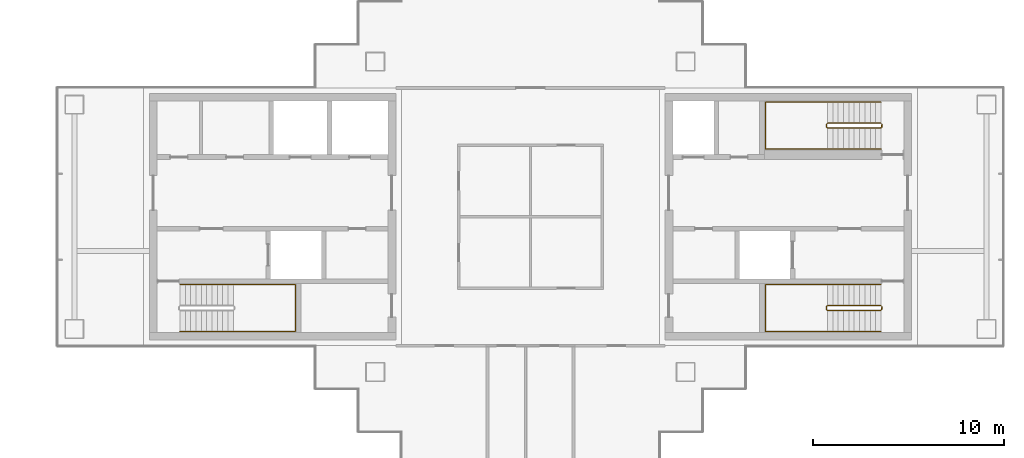
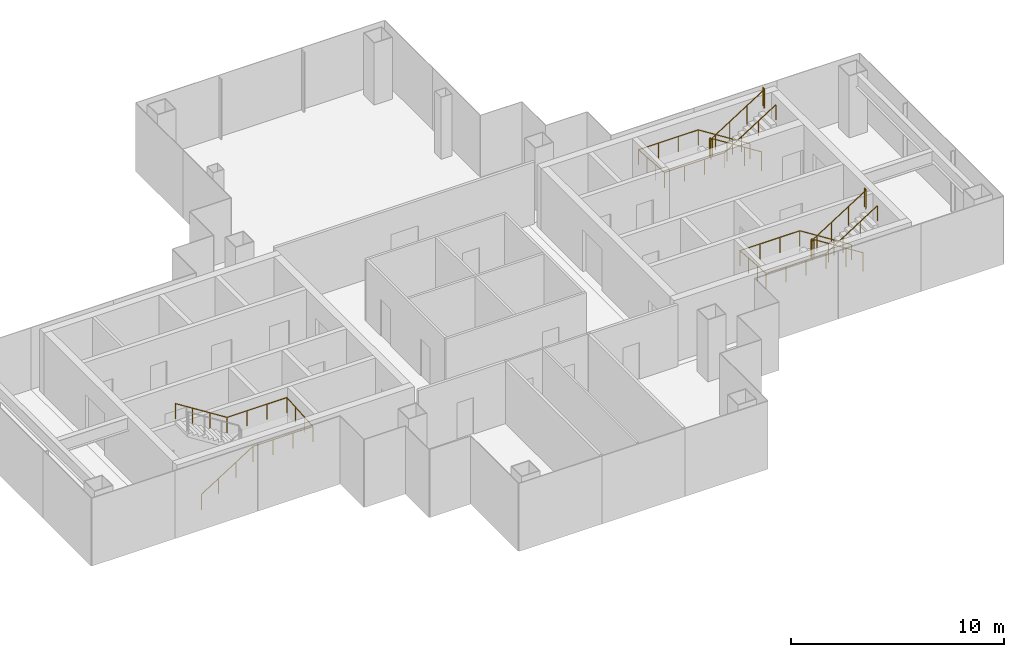
# One storey, part 14 of 15: 5 railings.
"""IFC4 building model written with IfcOpenShell, lengths in metres."""

import ifcopenshell
import ifcopenshell.guid

model = None  # the IFC model being written
_history = None  # IfcOwnerHistory: only IFC2X3 demands one
_inside = {}  # id of a spatial element -> (the spatial element, [elements in it])
_under = {}  # id of a project, library or spatial element -> (it, [spatial elements below it])
_declared = {}  # id of a project -> (the project, [libraries it declares])
_typed = {}  # id of a type object -> (the type object, [elements of that type])
_made_of = {}  # id of a material, layer set ... -> (it, [elements and type objects made of it])


def new_model(schema):
    """Start an empty IFC model of exactly this schema.

    Asked for "IFC4X3", IfcOpenShell would pick the latest addendum, in which some entities
    have other attributes; the version numbers below select the first issue.
    IFC2X3 requires an IfcOwnerHistory on every rooted entity: one is made here for all.
    """
    global model, _history
    if schema == "IFC4X3":
        model = ifcopenshell.file(schema_version=(4, 3, 0, 0))
    else:
        model = ifcopenshell.file(schema=schema)
    _inside.clear()
    _under.clear()
    _declared.clear()
    _typed.clear()
    _made_of.clear()
    _history = None
    if model.schema == "IFC2X3":
        org = make("IfcOrganization", Name="unknown")
        user = make(
            "IfcPersonAndOrganization",
            ThePerson=make("IfcPerson", FamilyName="unknown"),
            TheOrganization=org,
        )
        app = make(
            "IfcApplication",
            ApplicationDeveloper=org,
            Version="unknown",
            ApplicationFullName="unknown",
            ApplicationIdentifier="unknown",
        )
        _history = make(
            "IfcOwnerHistory",
            OwningUser=user,
            OwningApplication=app,
            ChangeAction="ADDED",
            CreationDate=0,
        )
    return model


def make(cls, **values):
    """One entity of the class cls with the attributes given. An attribute that is None is left unset."""
    return model.create_entity(
        cls, **{name: value for name, value in values.items() if value is not None}
    )


def rooted(cls, **values):
    """An entity with a GlobalId (a new one), such as an element, a storey or a relation."""
    return make(cls, GlobalId=ifcopenshell.guid.new(), OwnerHistory=_history, **values)


def si_unit(unit_type, name, prefix=None):
    """IfcSIUnit, for example si_unit("LENGTHUNIT", "METRE", prefix="MILLI")."""
    return make("IfcSIUnit", UnitType=unit_type, Prefix=prefix, Name=name)


def assignment(units):
    """IfcUnitAssignment: the units of a project."""
    return None if units is None else make("IfcUnitAssignment", Units=units)


def point(xyz):
    """IfcCartesianPoint."""
    return None if xyz is None else make("IfcCartesianPoint", Coordinates=xyz)


def direction(xyz):
    """IfcDirection."""
    return None if xyz is None else make("IfcDirection", DirectionRatios=xyz)


def frame(location, z_axis=None, x_axis=None):
    """IfcAxis2Placement3D, a coordinate frame: its origin and axes. An axis left out is left unset."""
    return make(
        "IfcAxis2Placement3D",
        Location=point(location),
        Axis=direction(z_axis),
        RefDirection=direction(x_axis),
    )


def frame_2d(location, x_axis=None):
    """IfcAxis2Placement2D, a coordinate frame in the plane: its origin and x axis."""
    return make(
        "IfcAxis2Placement2D", Location=point(location), RefDirection=direction(x_axis)
    )


def origin():
    """The frame at (0, 0, 0) with its axes left unset."""
    return frame((0.0, 0.0, 0.0))


def origin_2d():
    """The frame at (0, 0) in the plane with its x axis left unset."""
    return frame_2d((0.0, 0.0))


def place(relative_to, where):
    """IfcLocalPlacement: puts the frame where relative to a parent placement (None: the world)."""
    return make(
        "IfcLocalPlacement", PlacementRelTo=relative_to, RelativePlacement=where
    )


def context(
    kind, dimensions, precision=None, world=None, true_north=None, identifier=None
):
    """IfcGeometricRepresentationContext, for example the 3D "Model" context."""
    return make(
        "IfcGeometricRepresentationContext",
        ContextIdentifier=identifier,
        ContextType=kind,
        CoordinateSpaceDimension=dimensions,
        Precision=precision,
        WorldCoordinateSystem=world,
        TrueNorth=true_north,
    )


def subcontext(parent, identifier, kind, view, scale=None):
    """IfcGeometricRepresentationSubContext, for example "Body" below "Model"."""
    return make(
        "IfcGeometricRepresentationSubContext",
        ContextIdentifier=identifier,
        ContextType=kind,
        ParentContext=parent,
        TargetScale=scale,
        TargetView=view,
    )


def project(units=None, contexts=None):
    """IfcProject with its units and contexts."""
    return rooted(
        "IfcProject",
        Name="project",
        RepresentationContexts=contexts,
        UnitsInContext=assignment(units),
    )


def spatial(cls, under=None, at=None, **own):
    """A site, building, storey or space (cls), placed at a placement, below another one or the project."""
    s = rooted(cls, ObjectPlacement=at, **own)
    if under is not None:
        _under.setdefault(under.id(), (under, []))[1].append(s)
    return s


def profile(cls, at=None, kind="AREA", **sizes):
    """A parametric profile (cls). Its sizes go by their IFC names, for example OverallWidth=200.0."""
    return make(cls, ProfileType=kind, Position=at, **sizes)


def circle(**sizes):
    """IfcCircleProfileDef."""
    return profile("IfcCircleProfileDef", **sizes)


def extrude(swept, where, along, depth):
    """IfcExtrudedAreaSolid: the profile swept, set in the frame where, extruded along a direction by depth."""
    return make(
        "IfcExtrudedAreaSolid",
        SweptArea=swept,
        Position=where,
        ExtrudedDirection=direction(along),
        Depth=depth,
    )


def shape(context_of_items, identifier, shape_type, items):
    """IfcShapeRepresentation: the items that make up one representation, for example the "Body"."""
    return make(
        "IfcShapeRepresentation",
        ContextOfItems=context_of_items,
        RepresentationIdentifier=identifier,
        RepresentationType=shape_type,
        Items=items,
    )


def material(Name=None, Category=None):
    """IfcMaterial."""
    return make("IfcMaterial", Name=Name, Category=Category)


def made_of(thing, what):
    """Note that an element or type object is made of a material, layer set ...; save() writes the relation."""
    if what is not None:
        _made_of.setdefault(what.id(), (what, []))[1].append(thing)
    return thing


def type_object(cls, material=None, **own):
    """A type object (cls), such as IfcWallType, which elements share."""
    return made_of(rooted(cls, **own), material)


def element(
    cls,
    number,
    at=None,
    inside=None,
    cuts=None,
    type_object=None,
    material=None,
    context=None,
    identifier="Body",
    shape_type=None,
    held_by="IfcProductDefinitionShape",
    body=None,
    shapes=None,
    **own,
):
    """One element of the class cls, such as IfcWall. Its Tag is "e" and its number.

    at: its placement. inside: the storey or other place that contains it. cuts: it is an
    opening in that element (IfcRelVoidsElement). A single representation is given by context,
    identifier, shape_type and body (its items); several are given by shapes. held_by: the class
    of the entity that holds the representations. save() writes the other relations.
    """
    e = rooted(cls, Tag="e%d" % number, ObjectPlacement=at, **own)
    if body is not None:
        shapes = [shape(context, identifier, shape_type, body)]
    if shapes is not None:
        e.Representation = make(held_by, Representations=shapes)
    if inside is not None:
        _inside.setdefault(inside.id(), (inside, []))[1].append(e)
    if cuts is not None:
        rooted(
            "IfcRelVoidsElement", RelatingBuildingElement=cuts, RelatedOpeningElement=e
        )
    if type_object is not None:
        _typed.setdefault(type_object.id(), (type_object, []))[1].append(e)
    return made_of(e, material)


def aggregate(whole, parts):
    """IfcRelAggregates: a whole, such as a stair, and the parts it consists of."""
    return rooted("IfcRelAggregates", RelatingObject=whole, RelatedObjects=parts)


def save(model, path):
    """Write the relations noted so far, then the file.

    IfcRelAggregates (storeys below a building ...), IfcRelContainedInSpatialStructure (elements
    in a storey), IfcRelDefinesByType, IfcRelAssociatesMaterial and IfcRelDeclares: one each for
    every whole, place, type object, material and project.
    """
    for whole, parts in _under.values():
        aggregate(whole, parts)
    for where, things in _inside.values():
        rooted(
            "IfcRelContainedInSpatialStructure",
            RelatedElements=things,
            RelatingStructure=where,
        )
    for kind, things in _typed.values():
        rooted("IfcRelDefinesByType", RelatedObjects=things, RelatingType=kind)
    for what, things in _made_of.values():
        rooted("IfcRelAssociatesMaterial", RelatedObjects=things, RelatingMaterial=what)
    for by, libraries in _declared.values():
        rooted("IfcRelDeclares", RelatingContext=by, RelatedDefinitions=libraries)
    model.write(path)


model = new_model("IFC4")

# Units and contexts
model_context = context("Model", 3, precision=1e-05, world=origin(), true_north=direction((0.0, 1.0)))
body_context = subcontext(model_context, "Body", "Model", "MODEL_VIEW")
ifc_project = project(units=[si_unit("LENGTHUNIT", "METRE"), si_unit("AREAUNIT", "SQUARE_METRE"), si_unit("VOLUMEUNIT", "CUBIC_METRE"), si_unit("PLANEANGLEUNIT", "RADIAN"), si_unit("MASSUNIT", "GRAM", prefix="KILO")], contexts=[model_context])

# Site, building, storey
site_placement = place(None, origin())
site = spatial("IfcSite", under=ifc_project, at=site_placement, CompositionType="ELEMENT")
building_placement = place(site_placement, origin())
building = spatial("IfcBuilding", under=site, at=building_placement, Name="Shamsa Quay Exchange Towers", CompositionType="ELEMENT")
storey_placement = place(building_placement, frame((0.0, 0.0, 206.10009765625)))
storey = spatial("IfcBuildingStorey", under=building, at=storey_placement, Name="L49", CompositionType="ELEMENT", Elevation=206.10009765625)

# Railings
ifc_material = material(Name="Stainless steel", Category="steel")
railing_type_1 = type_object("IfcRailingType", Name="STAIR GUARD 1100", PredefinedType="GUARDRAIL", material=ifc_material)
railing_1_placement = place(storey_placement, frame((52.10009765625, -4.64990234375, 0.17724609375)))
element("IfcRailing", 1, at=railing_1_placement, inside=storey, type_object=railing_type_1, Name="L49 ST5 stair guard 1", PredefinedType="GUARDRAIL", context=body_context, shape_type="SweptSolid", body=[
    extrude(circle(Radius=0.02392578125, at=origin_2d()), frame((0.0, 0.0, 1.076171875), z_axis=(-0.844908973607, 0.0, 0.534910110503), x_axis=(0.0, -1.0, 0.0)), (0.0, 0.0, 1.0), 3.31396484375),
    extrude(circle(Radius=0.02392578125, at=origin_2d()), frame((-2.800048828125, 0.0, 2.8486328125), z_axis=(-0.707106781187, -0.707106781187, 0.0), x_axis=(0.707106781187, -0.707106781187, 0.0)), (0.0, 0.0, 1.0), 0.07080078125),
    extrude(circle(Radius=0.02392578125, at=origin_2d()), frame((-2.85009765625, -0.050048828125, 2.8486328125), z_axis=(0.0, -1.0, 0.0), x_axis=(1.0, 0.0, 0.0)), (0.0, 0.0, 1.0), 0.150146484375),
    extrude(circle(Radius=0.02392578125, at=origin_2d()), frame((-2.85009765625, -0.2001953125, 2.8486328125), z_axis=(0.262321481514, -0.261041864531, 0.929001929653), x_axis=(0.705375805398, 0.708833529934, 0.0)), (0.0, 0.0, 1.0), 0.190673828125),
    extrude(circle(Radius=0.02392578125, at=origin_2d()), frame((-2.800048828125, -0.25, 3.02587890625), z_axis=(0.844908973607, 0.0, 0.534910110503), x_axis=(0.0, 1.0, 0.0)), (0.0, 0.0, 1.0), 3.31396484375),
    extrude(circle(Radius=0.02392578125, at=origin_2d()), frame((0.0, -0.25, 4.798828125), z_axis=(0.241699205484, 0.970351222016, 0.0), x_axis=(-0.970351222016, 0.241699205484, 0.0)), (0.0, 0.0, 1.0), 0.2060546875),
    extrude(circle(Radius=0.02392578125, at=origin_2d()), frame((0.0498046875, -0.050048828125, 4.798828125), z_axis=(0.0, -1.0, 0.0), x_axis=(1.0, 0.0, 0.0)), (0.0, 0.0, 1.0), 0.150146484375),
    extrude(circle(Radius=0.02099609375, at=origin_2d()), origin(), (0.0, 0.0, 1.0), 1.052001953125),
    extrude(circle(Radius=0.02099609375, at=origin_2d()), frame((-0.933349609375, 0.0, 0.5908203125)), (0.0, 0.0, 1.0), 1.052001953125),
    extrude(circle(Radius=0.02099609375, at=origin_2d()), frame((-1.86669921875, 0.0, 1.181884765625)), (0.0, 0.0, 1.0), 1.052001953125),
    extrude(circle(Radius=0.02099609375, at=origin_2d()), frame((-2.800048828125, 0.0, 1.772705078125)), (0.0, 0.0, 1.0), 1.052001953125),
    extrude(circle(Radius=0.02099609375, at=origin_2d()), frame((-2.85009765625, -0.050048828125, 1.772705078125)), (0.0, 0.0, 1.0), 1.052001953125),
    extrude(circle(Radius=0.02099609375, at=origin_2d()), frame((-2.85009765625, -0.2001953125, 1.772705078125)), (0.0, 0.0, 1.0), 1.052001953125),
    extrude(circle(Radius=0.02099609375, at=origin_2d()), frame((-2.800048828125, -0.25, 1.949951171875)), (0.0, 0.0, 1.0), 1.052001953125),
    extrude(circle(Radius=0.02099609375, at=origin_2d()), frame((-1.86669921875, -0.25, 2.540771484375)), (0.0, 0.0, 1.0), 1.052001953125),
    extrude(circle(Radius=0.02099609375, at=origin_2d()), frame((-0.933349609375, -0.25, 3.1318359375)), (0.0, 0.0, 1.0), 1.052001953125),
    extrude(circle(Radius=0.02099609375, at=origin_2d()), frame((0.0, -0.25, 3.72265625)), (0.0, 0.0, 1.0), 1.052001953125),
    extrude(circle(Radius=0.02099609375, at=origin_2d()), frame((0.0498046875, -0.050048828125, 3.72265625)), (0.0, 0.0, 1.0), 1.052001953125),
    extrude(circle(Radius=0.02099609375, at=origin_2d()), frame((0.0498046875, -0.2001953125, 3.72265625)), (0.0, 0.0, 1.0), 1.052001953125),
])
railing_2_placement = place(storey_placement, frame((52.10009765625, 4.89990234375, 0.17724609375)))
element("IfcRailing", 2, at=railing_2_placement, inside=storey, type_object=railing_type_1, Name="L49 ST6 stair guard 1", PredefinedType="GUARDRAIL", context=body_context, shape_type="SweptSolid", body=[
    extrude(circle(Radius=0.02392578125, at=origin_2d()), frame((0.0, 0.0, 1.076171875), z_axis=(-0.844908973607, 0.0, 0.534910110503), x_axis=(0.0, -1.0, 0.0)), (0.0, 0.0, 1.0), 3.31396484375),
    extrude(circle(Radius=0.02392578125, at=origin_2d()), frame((-2.800048828125, 0.0, 2.8486328125), z_axis=(-0.708833529934, -0.705375805398, 0.0), x_axis=(0.705375805398, -0.708833529934, 0.0)), (0.0, 0.0, 1.0), 0.070556640625),
    extrude(circle(Radius=0.02392578125, at=origin_2d()), frame((-2.85009765625, -0.0498046875, 2.8486328125), z_axis=(0.0, -1.0, 0.0), x_axis=(1.0, 0.0, 0.0)), (0.0, 0.0, 1.0), 0.150146484375),
    extrude(circle(Radius=0.02392578125, at=origin_2d()), frame((-2.85009765625, -0.199951171875, 2.8486328125), z_axis=(0.262233686654, -0.262233686654, 0.928691007369), x_axis=(0.707106781187, 0.707106781187, 0.0)), (0.0, 0.0, 1.0), 0.19091796875),
    extrude(circle(Radius=0.02392578125, at=origin_2d()), frame((-2.800048828125, -0.25, 3.02587890625), z_axis=(0.844908973607, 0.0, 0.534910110503), x_axis=(0.0, 1.0, 0.0)), (0.0, 0.0, 1.0), 3.31396484375),
    extrude(circle(Radius=0.02392578125, at=origin_2d()), frame((0.0, -0.25, 4.798828125), z_axis=(0.24142163986, 0.970420317083, 0.0), x_axis=(-0.970420317083, 0.24142163986, 0.0)), (0.0, 0.0, 1.0), 0.206298828125),
    extrude(circle(Radius=0.02392578125, at=origin_2d()), frame((0.0498046875, -0.0498046875, 4.798828125), z_axis=(0.0, -1.0, 0.0), x_axis=(1.0, 0.0, 0.0)), (0.0, 0.0, 1.0), 0.150146484375),
    extrude(circle(Radius=0.02099609375, at=origin_2d()), origin(), (0.0, 0.0, 1.0), 1.052001953125),
    extrude(circle(Radius=0.02099609375, at=origin_2d()), frame((-0.933349609375, 0.0, 0.5908203125)), (0.0, 0.0, 1.0), 1.052001953125),
    extrude(circle(Radius=0.02099609375, at=origin_2d()), frame((-1.86669921875, 0.0, 1.181884765625)), (0.0, 0.0, 1.0), 1.052001953125),
    extrude(circle(Radius=0.02099609375, at=origin_2d()), frame((-2.800048828125, 0.0, 1.772705078125)), (0.0, 0.0, 1.0), 1.052001953125),
    extrude(circle(Radius=0.02099609375, at=origin_2d()), frame((-2.85009765625, -0.0498046875, 1.772705078125)), (0.0, 0.0, 1.0), 1.052001953125),
    extrude(circle(Radius=0.02099609375, at=origin_2d()), frame((-2.85009765625, -0.199951171875, 1.772705078125)), (0.0, 0.0, 1.0), 1.052001953125),
    extrude(circle(Radius=0.02099609375, at=origin_2d()), frame((-2.800048828125, -0.25, 1.949951171875)), (0.0, 0.0, 1.0), 1.052001953125),
    extrude(circle(Radius=0.02099609375, at=origin_2d()), frame((-1.86669921875, -0.25, 2.540771484375)), (0.0, 0.0, 1.0), 1.052001953125),
    extrude(circle(Radius=0.02099609375, at=origin_2d()), frame((-0.933349609375, -0.25, 3.1318359375)), (0.0, 0.0, 1.0), 1.052001953125),
    extrude(circle(Radius=0.02099609375, at=origin_2d()), frame((0.0, -0.25, 3.72265625)), (0.0, 0.0, 1.0), 1.052001953125),
    extrude(circle(Radius=0.02099609375, at=origin_2d()), frame((0.0498046875, -0.0498046875, 3.72265625)), (0.0, 0.0, 1.0), 1.052001953125),
    extrude(circle(Radius=0.02099609375, at=origin_2d()), frame((0.0498046875, -0.199951171875, 3.72265625)), (0.0, 0.0, 1.0), 1.052001953125),
])
railing_type_2 = type_object("IfcRailingType", Name="STAIR HANDRAIL 900", PredefinedType="HANDRAIL", material=ifc_material)
railing_3_placement = place(storey_placement, frame((15.39990234375, -6.0, 0.17724609375)))
element("IfcRailing", 3, at=railing_3_placement, inside=storey, type_object=railing_type_2, Name="L49 ST4 stair handrail 1", PredefinedType="HANDRAIL", context=body_context, shape_type="SweptSolid", body=[
    extrude(circle(Radius=0.02392578125, at=origin_2d()), frame((0.0, 0.0, 0.8759765625), z_axis=(0.844908973607, 0.0, 0.534910110503), x_axis=(0.0, 1.0, 0.0)), (0.0, 0.0, 1.0), 3.31396484375),
    extrude(circle(Radius=0.02392578125, at=origin_2d()), frame((2.800048828125, 0.0, 2.6484375), z_axis=(1.0, 0.0, 0.0), x_axis=(0.0, 1.0, 0.0)), (0.0, 0.0, 1.0), 3.25),
    extrude(circle(Radius=0.02392578125, at=origin_2d()), frame((6.050048828125, 0.0, 2.6484375), z_axis=(0.0, 0.997393199914, 0.07215819264), x_axis=(-1.0, 0.0, 0.0)), (0.0, 0.0, 1.0), 2.456298828125),
    extrude(circle(Radius=0.02392578125, at=origin_2d()), frame((6.050048828125, 2.449951171875, 2.82568359375), z_axis=(-1.0, 0.0, 0.0), x_axis=(0.0, -1.0, 0.0)), (0.0, 0.0, 1.0), 3.25),
    extrude(circle(Radius=0.02392578125, at=origin_2d()), frame((2.800048828125, 2.449951171875, 2.82568359375), z_axis=(-0.844908973607, 0.0, 0.534910110503), x_axis=(0.0, -1.0, 0.0)), (0.0, 0.0, 1.0), 3.31396484375),
    extrude(circle(Radius=0.02099609375, at=origin_2d()), origin(), (0.0, 0.0, 1.0), 0.851806640625),
    extrude(circle(Radius=0.02099609375, at=origin_2d()), frame((0.933349609375, 0.0, 0.5908203125)), (0.0, 0.0, 1.0), 0.851806640625),
    extrude(circle(Radius=0.02099609375, at=origin_2d()), frame((1.86669921875, 0.0, 1.181884765625)), (0.0, 0.0, 1.0), 0.851806640625),
    extrude(circle(Radius=0.02099609375, at=origin_2d()), frame((2.800048828125, 0.0, 1.772705078125)), (0.0, 0.0, 1.0), 0.851806640625),
    extrude(circle(Radius=0.02099609375, at=origin_2d()), frame((3.88330078125, 0.0, 1.772705078125)), (0.0, 0.0, 1.0), 0.851806640625),
    extrude(circle(Radius=0.02099609375, at=origin_2d()), frame((4.966796875, 0.0, 1.772705078125)), (0.0, 0.0, 1.0), 0.851806640625),
    extrude(circle(Radius=0.02099609375, at=origin_2d()), frame((6.050048828125, 0.0, 1.772705078125)), (0.0, 0.0, 1.0), 0.851806640625),
    extrude(circle(Radius=0.02099609375, at=origin_2d()), frame((6.050048828125, 0.816650390625, 1.831787109375)), (0.0, 0.0, 1.0), 0.851806640625),
    extrude(circle(Radius=0.02099609375, at=origin_2d()), frame((6.050048828125, 1.63330078125, 1.890869140625)), (0.0, 0.0, 1.0), 0.851806640625),
    extrude(circle(Radius=0.02099609375, at=origin_2d()), frame((6.050048828125, 2.449951171875, 1.949951171875)), (0.0, 0.0, 1.0), 0.851806640625),
    extrude(circle(Radius=0.02099609375, at=origin_2d()), frame((4.966796875, 2.449951171875, 1.949951171875)), (0.0, 0.0, 1.0), 0.851806640625),
    extrude(circle(Radius=0.02099609375, at=origin_2d()), frame((3.88330078125, 2.449951171875, 1.949951171875)), (0.0, 0.0, 1.0), 0.851806640625),
    extrude(circle(Radius=0.02099609375, at=origin_2d()), frame((2.800048828125, 2.449951171875, 1.949951171875)), (0.0, 0.0, 1.0), 0.851806640625),
    extrude(circle(Radius=0.02099609375, at=origin_2d()), frame((1.86669921875, 2.449951171875, 2.540771484375)), (0.0, 0.0, 1.0), 0.851806640625),
    extrude(circle(Radius=0.02099609375, at=origin_2d()), frame((0.933349609375, 2.449951171875, 3.1318359375)), (0.0, 0.0, 1.0), 0.851806640625),
    extrude(circle(Radius=0.02099609375, at=origin_2d()), frame((0.0, 2.449951171875, 3.72265625)), (0.0, 0.0, 1.0), 0.851806640625),
])
railing_4_placement = place(storey_placement, frame((52.10009765625, -3.550048828125, 0.17724609375)))
element("IfcRailing", 4, at=railing_4_placement, inside=storey, type_object=railing_type_2, Name="L49 ST5 stair handrail 1", PredefinedType="HANDRAIL", context=body_context, shape_type="SweptSolid", body=[
    extrude(circle(Radius=0.02392578125, at=origin_2d()), frame((0.0, 0.0, 0.8759765625), z_axis=(-0.844908973607, 0.0, 0.534910110503), x_axis=(0.0, -1.0, 0.0)), (0.0, 0.0, 1.0), 3.31396484375),
    extrude(circle(Radius=0.02392578125, at=origin_2d()), frame((-2.800048828125, 0.0, 2.6484375), z_axis=(-1.0, 0.0, 0.0), x_axis=(0.0, -1.0, 0.0)), (0.0, 0.0, 1.0), 3.25),
    extrude(circle(Radius=0.02392578125, at=origin_2d()), frame((-6.050048828125, 0.0, 2.6484375), z_axis=(0.0, -0.997393199914, 0.07215819264), x_axis=(1.0, 0.0, 0.0)), (0.0, 0.0, 1.0), 2.456298828125),
    extrude(circle(Radius=0.02392578125, at=origin_2d()), frame((-6.050048828125, -2.449951171875, 2.82568359375), z_axis=(1.0, 0.0, 0.0), x_axis=(0.0, 1.0, 0.0)), (0.0, 0.0, 1.0), 3.25),
    extrude(circle(Radius=0.02392578125, at=origin_2d()), frame((-2.800048828125, -2.449951171875, 2.82568359375), z_axis=(0.844908973607, 0.0, 0.534910110503), x_axis=(0.0, 1.0, 0.0)), (0.0, 0.0, 1.0), 3.31396484375),
    extrude(circle(Radius=0.02099609375, at=origin_2d()), origin(), (0.0, 0.0, 1.0), 0.851806640625),
    extrude(circle(Radius=0.02099609375, at=origin_2d()), frame((-0.933349609375, 0.0, 0.5908203125)), (0.0, 0.0, 1.0), 0.851806640625),
    extrude(circle(Radius=0.02099609375, at=origin_2d()), frame((-1.86669921875, 0.0, 1.181884765625)), (0.0, 0.0, 1.0), 0.851806640625),
    extrude(circle(Radius=0.02099609375, at=origin_2d()), frame((-2.800048828125, 0.0, 1.772705078125)), (0.0, 0.0, 1.0), 0.851806640625),
    extrude(circle(Radius=0.02099609375, at=origin_2d()), frame((-3.88330078125, 0.0, 1.772705078125)), (0.0, 0.0, 1.0), 0.851806640625),
    extrude(circle(Radius=0.02099609375, at=origin_2d()), frame((-4.966796875, 0.0, 1.772705078125)), (0.0, 0.0, 1.0), 0.851806640625),
    extrude(circle(Radius=0.02099609375, at=origin_2d()), frame((-6.050048828125, 0.0, 1.772705078125)), (0.0, 0.0, 1.0), 0.851806640625),
    extrude(circle(Radius=0.02099609375, at=origin_2d()), frame((-6.050048828125, -0.816650390625, 1.831787109375)), (0.0, 0.0, 1.0), 0.851806640625),
    extrude(circle(Radius=0.02099609375, at=origin_2d()), frame((-6.050048828125, -1.63330078125, 1.890869140625)), (0.0, 0.0, 1.0), 0.851806640625),
    extrude(circle(Radius=0.02099609375, at=origin_2d()), frame((-6.050048828125, -2.449951171875, 1.949951171875)), (0.0, 0.0, 1.0), 0.851806640625),
    extrude(circle(Radius=0.02099609375, at=origin_2d()), frame((-4.966796875, -2.449951171875, 1.949951171875)), (0.0, 0.0, 1.0), 0.851806640625),
    extrude(circle(Radius=0.02099609375, at=origin_2d()), frame((-3.88330078125, -2.449951171875, 1.949951171875)), (0.0, 0.0, 1.0), 0.851806640625),
    extrude(circle(Radius=0.02099609375, at=origin_2d()), frame((-2.800048828125, -2.449951171875, 1.949951171875)), (0.0, 0.0, 1.0), 0.851806640625),
    extrude(circle(Radius=0.02099609375, at=origin_2d()), frame((-1.86669921875, -2.449951171875, 2.540771484375)), (0.0, 0.0, 1.0), 0.851806640625),
    extrude(circle(Radius=0.02099609375, at=origin_2d()), frame((-0.933349609375, -2.449951171875, 3.1318359375)), (0.0, 0.0, 1.0), 0.851806640625),
    extrude(circle(Radius=0.02099609375, at=origin_2d()), frame((0.0, -2.449951171875, 3.72265625)), (0.0, 0.0, 1.0), 0.851806640625),
])
railing_5_placement = place(storey_placement, frame((52.10009765625, 6.0, 0.17724609375)))
element("IfcRailing", 5, at=railing_5_placement, inside=storey, type_object=railing_type_2, Name="L49 ST6 stair handrail 1", PredefinedType="HANDRAIL", context=body_context, shape_type="SweptSolid", body=[
    extrude(circle(Radius=0.02392578125, at=origin_2d()), frame((0.0, 0.0, 0.8759765625), z_axis=(-0.844908973607, 0.0, 0.534910110503), x_axis=(0.0, -1.0, 0.0)), (0.0, 0.0, 1.0), 3.31396484375),
    extrude(circle(Radius=0.02392578125, at=origin_2d()), frame((-2.800048828125, 0.0, 2.6484375), z_axis=(-1.0, 0.0, 0.0), x_axis=(0.0, -1.0, 0.0)), (0.0, 0.0, 1.0), 3.25),
    extrude(circle(Radius=0.02392578125, at=origin_2d()), frame((-6.050048828125, 0.0, 2.6484375), z_axis=(0.0, -0.997393199914, 0.07215819264), x_axis=(1.0, 0.0, 0.0)), (0.0, 0.0, 1.0), 2.456298828125),
    extrude(circle(Radius=0.02392578125, at=origin_2d()), frame((-6.050048828125, -2.449951171875, 2.82568359375), z_axis=(1.0, 0.0, 0.0), x_axis=(0.0, 1.0, 0.0)), (0.0, 0.0, 1.0), 3.25),
    extrude(circle(Radius=0.02392578125, at=origin_2d()), frame((-2.800048828125, -2.449951171875, 2.82568359375), z_axis=(0.844908973607, 0.0, 0.534910110503), x_axis=(0.0, 1.0, 0.0)), (0.0, 0.0, 1.0), 3.31396484375),
    extrude(circle(Radius=0.02099609375, at=origin_2d()), origin(), (0.0, 0.0, 1.0), 0.851806640625),
    extrude(circle(Radius=0.02099609375, at=origin_2d()), frame((-0.933349609375, 0.0, 0.5908203125)), (0.0, 0.0, 1.0), 0.851806640625),
    extrude(circle(Radius=0.02099609375, at=origin_2d()), frame((-1.86669921875, 0.0, 1.181884765625)), (0.0, 0.0, 1.0), 0.851806640625),
    extrude(circle(Radius=0.02099609375, at=origin_2d()), frame((-2.800048828125, 0.0, 1.772705078125)), (0.0, 0.0, 1.0), 0.851806640625),
    extrude(circle(Radius=0.02099609375, at=origin_2d()), frame((-3.88330078125, 0.0, 1.772705078125)), (0.0, 0.0, 1.0), 0.851806640625),
    extrude(circle(Radius=0.02099609375, at=origin_2d()), frame((-4.966796875, 0.0, 1.772705078125)), (0.0, 0.0, 1.0), 0.851806640625),
    extrude(circle(Radius=0.02099609375, at=origin_2d()), frame((-6.050048828125, 0.0, 1.772705078125)), (0.0, 0.0, 1.0), 0.851806640625),
    extrude(circle(Radius=0.02099609375, at=origin_2d()), frame((-6.050048828125, -0.816650390625, 1.831787109375)), (0.0, 0.0, 1.0), 0.851806640625),
    extrude(circle(Radius=0.02099609375, at=origin_2d()), frame((-6.050048828125, -1.63330078125, 1.890869140625)), (0.0, 0.0, 1.0), 0.851806640625),
    extrude(circle(Radius=0.02099609375, at=origin_2d()), frame((-6.050048828125, -2.449951171875, 1.949951171875)), (0.0, 0.0, 1.0), 0.851806640625),
    extrude(circle(Radius=0.02099609375, at=origin_2d()), frame((-4.966796875, -2.449951171875, 1.949951171875)), (0.0, 0.0, 1.0), 0.851806640625),
    extrude(circle(Radius=0.02099609375, at=origin_2d()), frame((-3.88330078125, -2.449951171875, 1.949951171875)), (0.0, 0.0, 1.0), 0.851806640625),
    extrude(circle(Radius=0.02099609375, at=origin_2d()), frame((-2.800048828125, -2.449951171875, 1.949951171875)), (0.0, 0.0, 1.0), 0.851806640625),
    extrude(circle(Radius=0.02099609375, at=origin_2d()), frame((-1.86669921875, -2.449951171875, 2.540771484375)), (0.0, 0.0, 1.0), 0.851806640625),
    extrude(circle(Radius=0.02099609375, at=origin_2d()), frame((-0.933349609375, -2.449951171875, 3.1318359375)), (0.0, 0.0, 1.0), 0.851806640625),
    extrude(circle(Radius=0.02099609375, at=origin_2d()), frame((0.0, -2.449951171875, 3.72265625)), (0.0, 0.0, 1.0), 0.851806640625),
])

save(model, "model.ifc")
